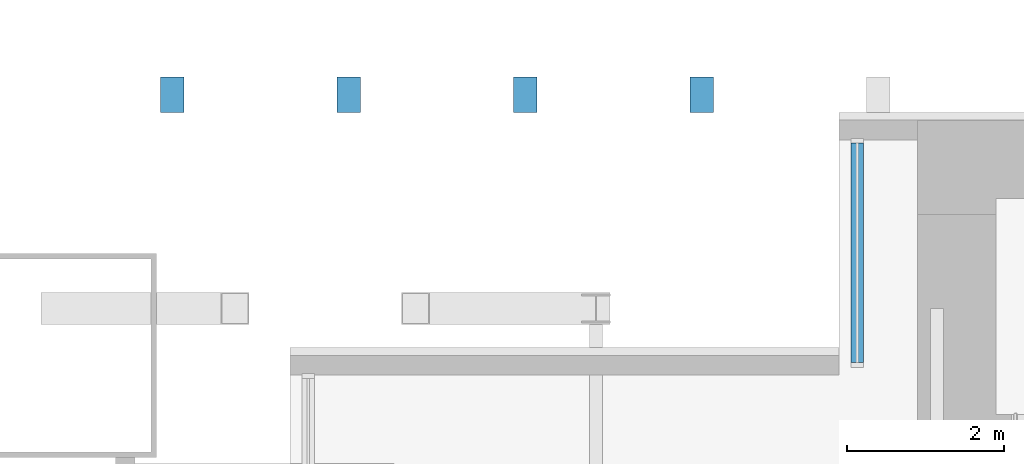
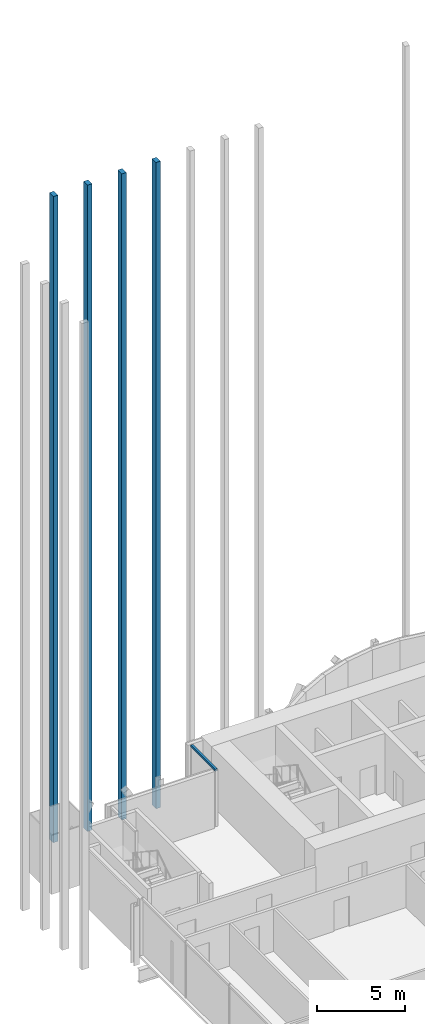
# One storey, part 14 of 29: 5 members, 2 elements without a shape of their own.
"""IFC4 building model written with IfcOpenShell, lengths in metres."""

from ifc_helpers import new_model, si_unit, direction, frame, origin, origin_2d, place, context, subcontext, project, spatial, rectangle, extrude, material, material_profile, profile_set, type_object, element, aggregate, save


model = new_model("IFC4")

# Units and contexts
model_context = context("Model", 3, precision=1e-05, world=origin(), true_north=direction((0.0, 1.0)))
body_context = subcontext(model_context, "Body", "Model", "MODEL_VIEW")
ifc_project = project(units=[si_unit("LENGTHUNIT", "METRE"), si_unit("AREAUNIT", "SQUARE_METRE"), si_unit("VOLUMEUNIT", "CUBIC_METRE"), si_unit("PLANEANGLEUNIT", "RADIAN"), si_unit("MASSUNIT", "GRAM", prefix="KILO")], contexts=[model_context])

# Site, building, storey
site_placement = place(None, origin())
site = spatial("IfcSite", under=ifc_project, at=site_placement, CompositionType="ELEMENT")
building_placement = place(site_placement, origin())
building = spatial("IfcBuilding", under=site, at=building_placement, Name="Bicima Exchange Tower", CompositionType="ELEMENT")
storey_placement = place(building_placement, frame((0.0, 0.0, 190.89990234375)))
storey = spatial("IfcBuildingStorey", under=building, at=storey_placement, Name="L42", CompositionType="ELEMENT", Elevation=190.89990234375)

# Curtain wall, member
ifc_material = material(Name="Anodised bronze aluminium", Category="aluminium")
curtain_wall_type_1 = type_object("IfcCurtainWallType", Name="Front glass wall", PredefinedType="NOTDEFINED", material=ifc_material)
curtain_wall_1_placement = place(storey_placement, origin())
curtain_wall_1 = element("IfcCurtainWall", 1, at=curtain_wall_1_placement, inside=storey, type_object=curtain_wall_type_1, Name="Front glass wall L42 run 4", PredefinedType="NOTDEFINED")
ifc_material_profile_1 = material_profile(ifc_material, rectangle(XDim=0.159912109375, YDim=0.139892578125, at=origin_2d()))
ifc_profile_set_1 = profile_set([ifc_material_profile_1], Name="Anodised bronze aluminium")
member_type_1 = type_object("IfcMemberType", Name="Front glass wall transom 140 x 160", PredefinedType="USERDEFINED", material=ifc_profile_set_1)
member_1_placement = place(storey_placement, frame((-22.77001953125, -0.2900390625, 3.880126953125), z_axis=(0.0, -1.0, 0.0), x_axis=(1.0, 0.0, 0.0)))
member_1 = element("IfcMember", 2, at=member_1_placement, type_object=member_type_1, Name="Front glass wall transom 1.1", ObjectType="TRANSOM", PredefinedType="USERDEFINED", context=body_context, shape_type="SweptSolid", body=[
    extrude(rectangle(XDim=0.159912109375, YDim=0.139892578125, at=origin_2d()), origin(), (0.0, 0.0, 1.0), 2.800048828125),
])
aggregate(curtain_wall_1, [member_1])

# Curtain wall, members
curtain_wall_type_2 = type_object("IfcCurtainWallType", Name="Rear blade screen", PredefinedType="NOTDEFINED", material=ifc_material)
curtain_wall_2_placement = place(storey_placement, origin())
curtain_wall_2 = element("IfcCurtainWall", 3, at=curtain_wall_2_placement, inside=storey, type_object=curtain_wall_type_2, Name="Rear blade screen L42-L52 W", PredefinedType="NOTDEFINED")
ifc_material_profile_2 = material_profile(ifc_material, rectangle(XDim=0.449951171875, YDim=0.300048828125, at=origin_2d()))
ifc_profile_set_2 = profile_set([ifc_material_profile_2], Name="Anodised bronze aluminium")
member_type_2 = type_object("IfcMemberType", Name="Rear blade fin 450 x 300", PredefinedType="USERDEFINED", material=ifc_profile_set_2)
member_2_placement = place(storey_placement, frame((-31.5, 0.324951171875, 0.0), z_axis=(0.0, 0.0, 1.0), x_axis=(0.0, 1.0, 0.0)))
member_2 = element("IfcMember", 4, at=member_2_placement, type_object=member_type_2, Name="Rear blade fin L42-L52 2", ObjectType="FIN", PredefinedType="USERDEFINED", context=body_context, shape_type="SweptSolid", body=[
    extrude(rectangle(XDim=0.449951171875, YDim=0.300048828125, at=origin_2d()), origin(), (0.0, 0.0, 1.0), 44.900146484375),
])
member_3_placement = place(storey_placement, frame((-29.25, 0.324951171875, 0.0), z_axis=(0.0, 0.0, 1.0), x_axis=(0.0, 1.0, 0.0)))
member_3 = element("IfcMember", 5, at=member_3_placement, type_object=member_type_2, Name="Rear blade fin L42-L52 3", ObjectType="FIN", PredefinedType="USERDEFINED", context=body_context, shape_type="SweptSolid", body=[
    extrude(rectangle(XDim=0.449951171875, YDim=0.300048828125, at=origin_2d()), origin(), (0.0, 0.0, 1.0), 44.900146484375),
])
member_4_placement = place(storey_placement, frame((-27.0, 0.324951171875, 0.0), z_axis=(0.0, 0.0, 1.0), x_axis=(0.0, 1.0, 0.0)))
member_4 = element("IfcMember", 6, at=member_4_placement, type_object=member_type_2, Name="Rear blade fin L42-L52 4", ObjectType="FIN", PredefinedType="USERDEFINED", context=body_context, shape_type="SweptSolid", body=[
    extrude(rectangle(XDim=0.449951171875, YDim=0.300048828125, at=origin_2d()), origin(), (0.0, 0.0, 1.0), 44.900146484375),
])
member_5_placement = place(storey_placement, frame((-24.75, 0.324951171875, 0.0), z_axis=(0.0, 0.0, 1.0), x_axis=(0.0, 1.0, 0.0)))
member_5 = element("IfcMember", 7, at=member_5_placement, type_object=member_type_2, Name="Rear blade fin L42-L52 5", ObjectType="FIN", PredefinedType="USERDEFINED", context=body_context, shape_type="SweptSolid", body=[
    extrude(rectangle(XDim=0.449951171875, YDim=0.300048828125, at=origin_2d()), origin(), (0.0, 0.0, 1.0), 44.900146484375),
])
aggregate(curtain_wall_2, [member_2, member_3, member_4, member_5])

save(model, "model.ifc")
